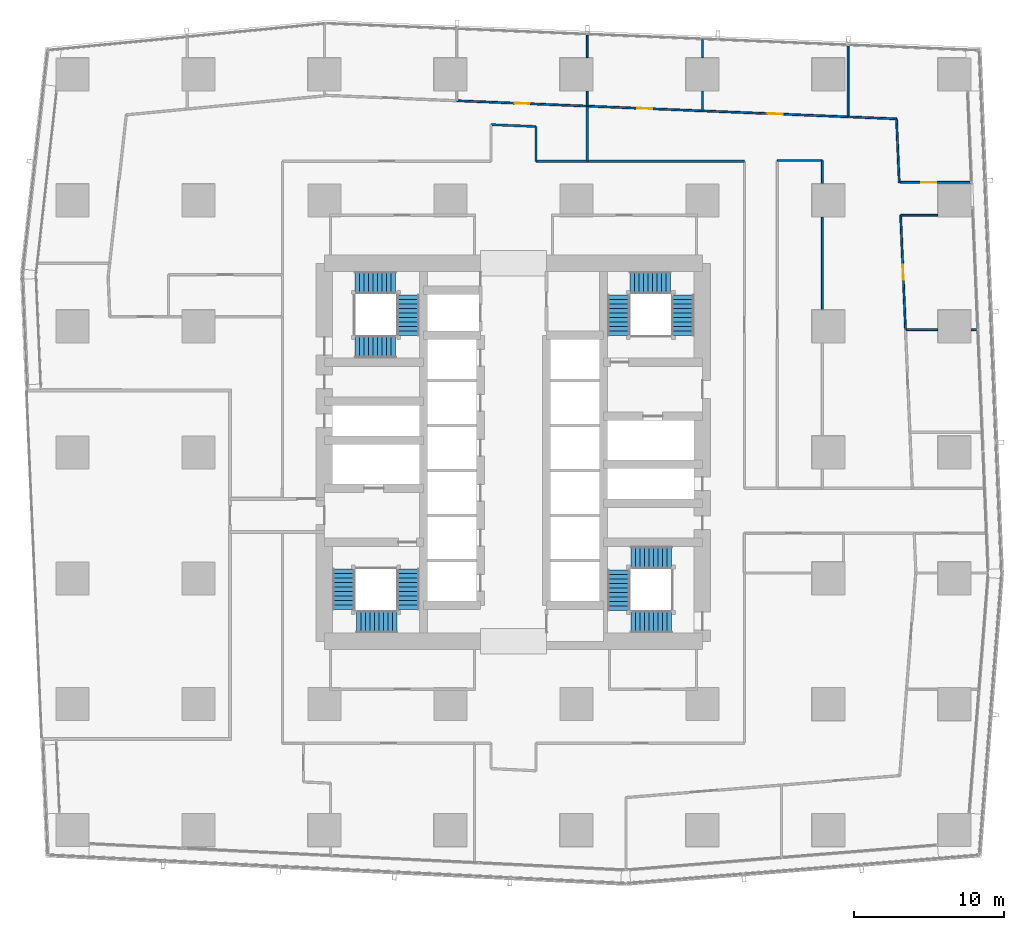
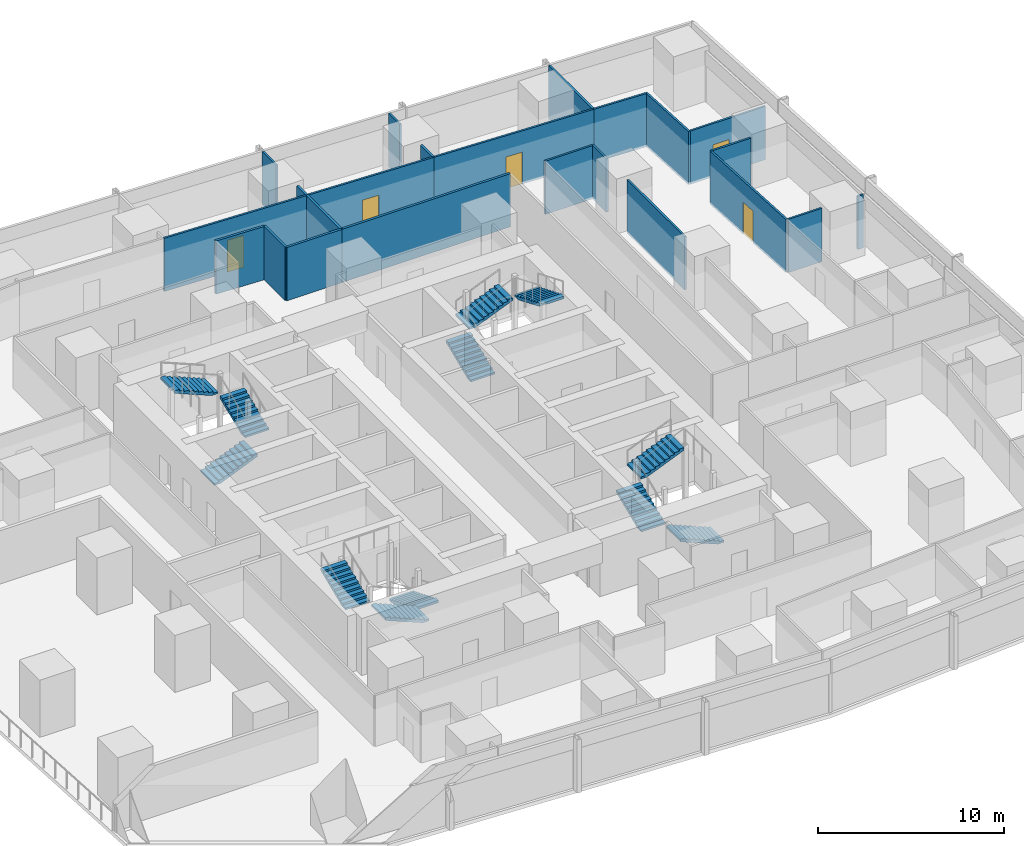
# One storey, part 33 of 42: 23 walls, 12 stair flights, 5 doors, 5 openings, 4 elements without a shape of their own.
"""IFC4 building model written with IfcOpenShell, lengths in metres."""

from ifc_helpers import new_model, si_unit, direction, frame, frame_2d, origin, place, context, subcontext, project, spatial, polyline, rectangle, outline, extrude, material, layer, layer_set, type_object, element, fill, aggregate, save


model = new_model("IFC4")

# Units and contexts
model_context = context("Model", 3, precision=1e-05, world=origin(), true_north=direction((0.0, 1.0)))
body_context = subcontext(model_context, "Body", "Model", "MODEL_VIEW")
ifc_project = project(units=[si_unit("LENGTHUNIT", "METRE"), si_unit("AREAUNIT", "SQUARE_METRE"), si_unit("VOLUMEUNIT", "CUBIC_METRE"), si_unit("PLANEANGLEUNIT", "RADIAN"), si_unit("MASSUNIT", "GRAM", prefix="KILO")], contexts=[model_context])

# Site, building, storey
site_placement = place(None, origin())
site = spatial("IfcSite", under=ifc_project, at=site_placement, CompositionType="ELEMENT")
building_placement = place(site_placement, origin())
building = spatial("IfcBuilding", under=site, at=building_placement, Name="Rekha Terrace Tower", CompositionType="ELEMENT")
storey_placement = place(building_placement, frame((0.0, 0.0, 55.39990234375)))
storey = spatial("IfcBuildingStorey", under=building, at=storey_placement, Name="L13", CompositionType="ELEMENT", Elevation=55.39990234375)

# Walls
ifc_material_1 = material(Name="Concrete block masonry, 1 hour", Category="masonry")
ifc_layer_1 = layer(ifc_material_1, 0.14990234375)
ifc_layer_set_1 = layer_set([ifc_layer_1], Name="Concrete block masonry, 1 hour")
wall_type_1 = type_object("IfcWallType", Name="WP2 150 tenancy partition", PredefinedType="PARTITIONING", material=ifc_layer_set_1)
wall_1_placement = place(storey_placement, frame((53.199951171875, 53.0, 0.0), z_axis=(0.0, 0.0, 1.0), x_axis=(-1.0, 0.0, 0.0)))
element("IfcWall", 1, at=wall_1_placement, inside=storey, type_object=wall_type_1, Name="Partition L13-O3", PredefinedType="PARTITIONING", context=body_context, shape_type="SweptSolid", body=[
    extrude(rectangle(XDim=10.48095703125, YDim=0.14990234375, at=frame_2d((5.240478515625, 0.0))), origin(), (0.0, 0.0, 1.0), 3.5),
])
wall_2_placement = place(storey_placement, frame((42.718994140625, 53.0, 0.0), z_axis=(0.0, 0.0, 1.0), x_axis=(0.0, 1.0, 0.0)))
element("IfcWall", 2, at=wall_2_placement, inside=storey, type_object=wall_type_1, Name="Partition L13-O3", PredefinedType="PARTITIONING", context=body_context, shape_type="SweptSolid", body=[
    extrude(rectangle(XDim=3.678955078125, YDim=0.14990234375, at=frame_2d((1.83935546875, 0.0))), origin(), (0.0, 0.0, 1.0), 3.5),
])
wall_3_placement = place(storey_placement, frame((42.718017578125, 53.0, 0.0), z_axis=(0.0, 0.0, 1.0), x_axis=(-1.0, 0.0, 0.0)))
element("IfcWall", 3, at=wall_3_placement, inside=storey, type_object=wall_type_1, Name="Partition L13-O4", PredefinedType="PARTITIONING", context=body_context, shape_type="SweptSolid", body=[
    extrude(rectangle(XDim=3.41796875, YDim=0.14990234375, at=frame_2d((1.708984375, 0.0))), origin(), (0.0, 0.0, 1.0), 3.5),
])
wall_4_placement = place(storey_placement, frame((39.300048828125, 53.0, 0.0), z_axis=(0.0, 0.0, 1.0), x_axis=(0.0, 1.0, 0.0)))
element("IfcWall", 4, at=wall_4_placement, inside=storey, type_object=wall_type_1, Name="Partition L13-O4", PredefinedType="PARTITIONING", context=body_context, shape_type="SweptSolid", body=[
    extrude(rectangle(XDim=2.319091796875, YDim=0.14990234375, at=frame_2d((1.15966796875, 0.0))), origin(), (0.0, 0.0, 1.0), 3.5),
])
wall_5_placement = place(storey_placement, frame((39.300048828125, 55.319091796875, 0.0), z_axis=(0.0, 0.0, 1.0), x_axis=(-0.999163245212, 0.040899992866, 0.0)))
element("IfcWall", 5, at=wall_5_placement, inside=storey, type_object=wall_type_1, Name="Partition L13-O4", PredefinedType="PARTITIONING", context=body_context, shape_type="SweptSolid", body=[
    extrude(rectangle(XDim=3.00244140625, YDim=0.14990234375, at=frame_2d((1.501220703125, 0.0))), origin(), (0.0, 0.0, 1.0), 3.5),
])
ifc_material_2 = material(Name="Two layers of fire-rated gypsum board each side on steel studs, acoustic quilt, 1 hour", Category="steel")
ifc_layer_2 = layer(ifc_material_2, 0.125)
ifc_layer_set_2 = layer_set([ifc_layer_2], Name="Two layers of fire-rated gypsum board each side on steel studs, acoustic quilt, 1 hour")
wall_type_2 = type_object("IfcWallType", Name="WP3 125 office partition", PredefinedType="PARTITIONING", material=ifc_layer_set_2)
wall_6_placement = place(storey_placement, frame((64.001953125, 41.781005859375, 0.0), z_axis=(0.0, 0.0, 1.0), x_axis=(1.0, 0.0, 0.0)))
element("IfcWall", 6, at=wall_6_placement, inside=storey, type_object=wall_type_2, Name="Partition L13-07", PredefinedType="PARTITIONING", context=body_context, shape_type="SweptSolid", body=[
    extrude(rectangle(XDim=2.078125, YDim=0.125, at=frame_2d((1.0390625, 0.0))), origin(), (0.0, 0.0, 1.0), 3.5),
])
wall_7_placement = place(storey_placement, frame((68.320068359375, 41.781005859375, 0.0), z_axis=(0.0, 0.0, 1.0), x_axis=(1.0, 0.0, 0.0)))
element("IfcWall", 7, at=wall_7_placement, inside=storey, type_object=wall_type_2, Name="Partition L13-07", PredefinedType="PARTITIONING", context=body_context, shape_type="SweptSolid", body=[
    extrude(rectangle(XDim=0.343017578125, YDim=0.125, at=frame_2d((0.17138671875, 0.0))), origin(), (0.0, 0.0, 1.0), 3.5),
])

# Wall, opening, door
wall_8_placement = place(storey_placement, frame((63.93896484375, 41.781982421875, 0.0), z_axis=(0.0, 0.0, 1.0), x_axis=(-0.042745242954, 0.999086004408, 0.0)))
wall_8 = element("IfcWall", 8, at=wall_8_placement, inside=storey, type_object=wall_type_2, Name="Partition L13-08", PredefinedType="PARTITIONING", context=body_context, shape_type="SweptSolid", body=[
    extrude(rectangle(XDim=7.625, YDim=0.125, at=frame_2d((3.8125, 0.0))), origin(), (0.0, 0.0, 1.0), 3.5),
])
opening_1_placement = place(wall_8_placement, frame((3.31201171875, 0.0, 0.0)))
opening_1 = element("IfcOpeningElement", 9, at=opening_1_placement, cuts=wall_8, Name="Opening D9", PredefinedType="OPENING", context=body_context, shape_type="SweptSolid", body=[
    extrude(rectangle(XDim=1.0, YDim=2.10009765625, at=frame_2d((0.5, 1.050048828125))), frame((0.0, 0.072509765625, 0.0), z_axis=(0.0, -1.0, 0.0), x_axis=(1.0, 0.0, 0.0)), (0.0, 0.0, 1.0), 0.14501953125),
])
ifc_material_3 = material(Name="Timber fire door", Category="wood")
door_type = type_object("IfcDoorType", Name="D9 1000x2100 office door", OperationType="SINGLE_SWING_LEFT", PredefinedType="DOOR", material=ifc_material_3)
door_1_placement = place(opening_1_placement, origin())
door_1 = element("IfcDoor", 10, at=door_1_placement, inside=storey, type_object=door_type, Name="Door office L13", OperationType="SINGLE_SWING_LEFT", OverallHeight=2.10009765625, OverallWidth=1.0, PredefinedType="DOOR", context=body_context, shape_type="SweptSolid", body=[
    extrude(rectangle(XDim=1.0, YDim=2.10009765625, at=frame_2d((0.5, 1.050048828125))), frame((0.0, 0.02490234375, 0.0), z_axis=(0.0, -1.0, 0.0), x_axis=(1.0, 0.0, 0.0)), (0.0, 0.0, 1.0), 0.050048828125),
])
fill(opening_1, door_1)

# Walls
wall_9_placement = place(storey_placement, frame((63.613037109375, 49.39990234375, 0.0), z_axis=(0.0, 0.0, 1.0), x_axis=(1.0, 0.0, 0.0)))
element("IfcWall", 11, at=wall_9_placement, inside=storey, type_object=wall_type_2, Name="Partition L13-08", PredefinedType="PARTITIONING", context=body_context, shape_type="SweptSolid", body=[
    extrude(rectangle(XDim=2.467041015625, YDim=0.125, at=frame_2d((1.2333984375, 0.0))), origin(), (0.0, 0.0, 1.0), 3.5),
])
wall_10_placement = place(storey_placement, frame((60.112060546875, 55.9619140625, 0.0), z_axis=(0.0, 0.0, 1.0), x_axis=(0.0, 1.0, 0.0)))
element("IfcWall", 12, at=wall_10_placement, inside=storey, type_object=wall_type_2, Name="Partition L13-09", PredefinedType="PARTITIONING", context=body_context, shape_type="SweptSolid", body=[
    extrude(rectangle(XDim=4.72412109375, YDim=0.125, at=frame_2d((2.362060546875, 0.0))), origin(), (0.0, 0.0, 1.0), 3.5),
])

# Wall, opening, door
wall_11_placement = place(storey_placement, frame((68.243896484375, 51.593017578125, 0.0), z_axis=(0.0, 0.0, 1.0), x_axis=(-1.0, 0.0, 0.0)))
wall_11 = element("IfcWall", 13, at=wall_11_placement, inside=storey, type_object=wall_type_2, Name="Partition L13-09", PredefinedType="PARTITIONING", context=body_context, shape_type="SweptSolid", body=[
    extrude(rectangle(XDim=4.661865234375, YDim=0.125, at=frame_2d((2.3310546875, 0.0))), origin(), (0.0, 0.0, 1.0), 3.5),
])
opening_2_placement = place(wall_11_placement, frame((2.260986328125, 0.0, 0.0)))
opening_2 = element("IfcOpeningElement", 14, at=opening_2_placement, cuts=wall_11, Name="Opening D9", PredefinedType="OPENING", context=body_context, shape_type="SweptSolid", body=[
    extrude(rectangle(XDim=1.0, YDim=2.10009765625, at=frame_2d((0.5, 1.050048828125))), frame((0.0, 0.072509765625, 0.0), z_axis=(0.0, -1.0, 0.0), x_axis=(1.0, 0.0, 0.0)), (0.0, 0.0, 1.0), 0.14501953125),
])
door_2_placement = place(opening_2_placement, origin())
door_2 = element("IfcDoor", 15, at=door_2_placement, inside=storey, type_object=door_type, Name="Door director's office L13", OperationType="SINGLE_SWING_LEFT", OverallHeight=2.10009765625, OverallWidth=1.0, PredefinedType="DOOR", context=body_context, shape_type="SweptSolid", body=[
    extrude(rectangle(XDim=1.0, YDim=2.10009765625, at=frame_2d((0.5, 1.050048828125))), frame((0.0, 0.02490234375, 0.0), z_axis=(0.0, -1.0, 0.0), x_axis=(1.0, 0.0, 0.0)), (0.0, 0.0, 1.0), 0.050048828125),
])
fill(opening_2, door_2)

# Walls
wall_12_placement = place(storey_placement, frame((63.52099609375, 51.556884765625, 0.0), z_axis=(0.0, 0.0, 1.0), x_axis=(-0.042535330456, 0.999094963286, 0.0)))
element("IfcWall", 16, at=wall_12_placement, inside=storey, type_object=wall_type_2, Name="Partition L13-09", PredefinedType="PARTITIONING", context=body_context, shape_type="SweptSolid", body=[
    extrude(rectangle(XDim=4.276123046875, YDim=0.125, at=frame_2d((2.13818359375, 0.0))), origin(), (0.0, 0.0, 1.0), 3.5),
])
wall_13_placement = place(storey_placement, frame((63.339111328125, 55.8291015625, 0.0), z_axis=(0.0, 0.0, 1.0), x_axis=(-0.999154166221, 0.04112118826, 0.0)))
element("IfcWall", 17, at=wall_13_placement, inside=storey, type_object=wall_type_2, Name="Partition L13-09", PredefinedType="PARTITIONING", context=body_context, shape_type="SweptSolid", body=[
    extrude(rectangle(XDim=3.229736328125, YDim=0.125, at=frame_2d((1.61474609375, 0.0))), origin(), (0.0, 0.0, 1.0), 3.5),
])

# Wall, opening, door
wall_14_placement = place(storey_placement, frame((60.111083984375, 55.9619140625, 0.0), z_axis=(0.0, 0.0, 1.0), x_axis=(-0.999151781827, 0.041179082941, 0.0)))
wall_14 = element("IfcWall", 18, at=wall_14_placement, inside=storey, type_object=wall_type_2, Name="Partition L13-10", PredefinedType="PARTITIONING", context=body_context, shape_type="SweptSolid", body=[
    extrude(rectangle(XDim=9.71728515625, YDim=0.125, at=frame_2d((4.858642578125, 0.0))), origin(), (0.0, 0.0, 1.0), 3.5),
])
opening_3_placement = place(wall_14_placement, frame((4.35888671875, 0.0, 0.0)))
opening_3 = element("IfcOpeningElement", 19, at=opening_3_placement, cuts=wall_14, Name="Opening D9", PredefinedType="OPENING", context=body_context, shape_type="SweptSolid", body=[
    extrude(rectangle(XDim=1.0, YDim=2.10009765625, at=frame_2d((0.5, 1.050048828125))), frame((0.0, 0.072509765625, 0.0), z_axis=(0.0, -1.0, 0.0), x_axis=(1.0, 0.0, 0.0)), (0.0, 0.0, 1.0), 0.14501953125),
])
door_3_placement = place(opening_3_placement, origin())
door_3 = element("IfcDoor", 20, at=door_3_placement, inside=storey, type_object=door_type, Name="Door office L13", OperationType="SINGLE_SWING_LEFT", OverallHeight=2.10009765625, OverallWidth=1.0, PredefinedType="DOOR", context=body_context, shape_type="SweptSolid", body=[
    extrude(rectangle(XDim=1.0, YDim=2.10009765625, at=frame_2d((0.5, 1.050048828125))), frame((0.0, 0.02490234375, 0.0), z_axis=(0.0, -1.0, 0.0), x_axis=(1.0, 0.0, 0.0)), (0.0, 0.0, 1.0), 0.050048828125),
])
fill(opening_3, door_3)

# Walls
wall_15_placement = place(storey_placement, frame((50.402099609375, 56.362060546875, 0.0), z_axis=(0.0, 0.0, 1.0), x_axis=(0.0, 1.0, 0.0)))
element("IfcWall", 21, at=wall_15_placement, inside=storey, type_object=wall_type_2, Name="Partition L13-10", PredefinedType="PARTITIONING", context=body_context, shape_type="SweptSolid", body=[
    extrude(rectangle(XDim=1.31787109375, YDim=0.125, at=frame_2d((0.658935546875, 0.0))), origin(), (0.0, 0.0, 1.0), 3.5),
])
wall_16_placement = place(storey_placement, frame((50.402099609375, 59.919921875, 0.0), z_axis=(0.0, 0.0, 1.0), x_axis=(0.0, 1.0, 0.0)))
element("IfcWall", 22, at=wall_16_placement, inside=storey, type_object=wall_type_2, Name="Partition L13-10", PredefinedType="PARTITIONING", context=body_context, shape_type="SweptSolid", body=[
    extrude(rectangle(XDim=1.196044921875, YDim=0.125, at=frame_2d((0.59814453125, 0.0))), origin(), (0.0, 0.0, 1.0), 3.5),
])

# Wall, opening, door
wall_17_placement = place(storey_placement, frame((50.40087890625, 56.362060546875, 0.0), z_axis=(0.0, 0.0, 1.0), x_axis=(-0.999150213053, 0.041217129399, 0.0)))
wall_17 = element("IfcWall", 23, at=wall_17_placement, inside=storey, type_object=wall_type_2, Name="Partition L13-11", PredefinedType="PARTITIONING", context=body_context, shape_type="SweptSolid", body=[
    extrude(rectangle(XDim=7.6884765625, YDim=0.125, at=frame_2d((3.84423828125, 0.0))), origin(), (0.0, 0.0, 1.0), 3.5),
])
opening_4_placement = place(wall_17_placement, frame((3.343994140625, 0.0, 0.0)))
opening_4 = element("IfcOpeningElement", 24, at=opening_4_placement, cuts=wall_17, Name="Opening D9", PredefinedType="OPENING", context=body_context, shape_type="SweptSolid", body=[
    extrude(rectangle(XDim=1.0, YDim=2.10009765625, at=frame_2d((0.5, 1.050048828125))), frame((0.0, 0.072509765625, 0.0), z_axis=(0.0, -1.0, 0.0), x_axis=(1.0, 0.0, 0.0)), (0.0, 0.0, 1.0), 0.14501953125),
])
door_4_placement = place(opening_4_placement, origin())
door_4 = element("IfcDoor", 25, at=door_4_placement, inside=storey, type_object=door_type, Name="Door office L13", OperationType="SINGLE_SWING_LEFT", OverallHeight=2.10009765625, OverallWidth=1.0, PredefinedType="DOOR", context=body_context, shape_type="SweptSolid", body=[
    extrude(rectangle(XDim=1.0, YDim=2.10009765625, at=frame_2d((0.5, 1.050048828125))), frame((0.0, 0.02490234375, 0.0), z_axis=(0.0, -1.0, 0.0), x_axis=(1.0, 0.0, 0.0)), (0.0, 0.0, 1.0), 0.050048828125),
])
fill(opening_4, door_4)

# Walls
wall_18_placement = place(storey_placement, frame((42.718994140625, 56.678955078125, 0.0), z_axis=(0.0, 0.0, 1.0), x_axis=(0.0, 1.0, 0.0)))
element("IfcWall", 26, at=wall_18_placement, inside=storey, type_object=wall_type_2, Name="Partition L13-11", PredefinedType="PARTITIONING", context=body_context, shape_type="SweptSolid", body=[
    extrude(rectangle(XDim=1.0009765625, YDim=0.125, at=frame_2d((0.50048828125, 0.0))), origin(), (0.0, 0.0, 1.0), 3.5),
])
wall_19_placement = place(storey_placement, frame((42.718994140625, 59.919921875, 0.0), z_axis=(0.0, 0.0, 1.0), x_axis=(0.0, 1.0, 0.0)))
element("IfcWall", 27, at=wall_19_placement, inside=storey, type_object=wall_type_2, Name="Partition L13-11", PredefinedType="PARTITIONING", context=body_context, shape_type="SweptSolid", body=[
    extrude(rectangle(XDim=1.483154296875, YDim=0.125, at=frame_2d((0.74169921875, 0.0))), origin(), (0.0, 0.0, 1.0), 3.5),
])
wall_20_placement = place(storey_placement, frame((55.39990234375, 53.050048828125, 0.0), z_axis=(0.0, 0.0, 1.0), x_axis=(1.0, 0.0, 0.0)))
element("IfcWall", 28, at=wall_20_placement, inside=storey, type_object=wall_type_2, Name="Partition L13-12", PredefinedType="PARTITIONING", context=body_context, shape_type="SweptSolid", body=[
    extrude(rectangle(XDim=3.0, YDim=0.125, at=frame_2d((1.5, 0.0))), origin(), (0.0, 0.0, 1.0), 3.5),
])
wall_21_placement = place(storey_placement, frame((58.39990234375, 53.050048828125, 0.0), z_axis=(0.0, 0.0, 1.0), x_axis=(0.0, -1.0, 0.0)))
element("IfcWall", 29, at=wall_21_placement, inside=storey, type_object=wall_type_2, Name="Partition L13-12", PredefinedType="PARTITIONING", context=body_context, shape_type="SweptSolid", body=[
    extrude(rectangle(XDim=1.530029296875, YDim=0.125, at=frame_2d((0.76513671875, 0.0))), origin(), (0.0, 0.0, 1.0), 3.5),
])
wall_22_placement = place(storey_placement, frame((58.39990234375, 49.280029296875, 0.0), z_axis=(0.0, 0.0, 1.0), x_axis=(0.0, -1.0, 0.0)))
element("IfcWall", 30, at=wall_22_placement, inside=storey, type_object=wall_type_2, Name="Partition L13-12", PredefinedType="PARTITIONING", context=body_context, shape_type="SweptSolid", body=[
    extrude(rectangle(XDim=6.159912109375, YDim=0.125, at=frame_2d((3.080078125, 0.0))), origin(), (0.0, 0.0, 1.0), 3.5),
])

# Wall, opening, door
wall_23_placement = place(storey_placement, frame((42.718017578125, 56.678955078125, 0.0), z_axis=(0.0, 0.0, 1.0), x_axis=(-0.999152748928, 0.041155610913, 0.0)))
wall_23 = element("IfcWall", 31, at=wall_23_placement, inside=storey, type_object=wall_type_2, Name="Partition L13-13", PredefinedType="PARTITIONING", context=body_context, shape_type="SweptSolid", body=[
    extrude(rectangle(XDim=8.702392578125, YDim=0.125, at=frame_2d((4.35107421875, 0.0))), origin(), (0.0, 0.0, 1.0), 3.5),
])
opening_5_placement = place(wall_23_placement, frame((3.85107421875, 0.0, 0.0)))
opening_5 = element("IfcOpeningElement", 32, at=opening_5_placement, cuts=wall_23, Name="Opening D9", PredefinedType="OPENING", context=body_context, shape_type="SweptSolid", body=[
    extrude(rectangle(XDim=1.0, YDim=2.10009765625, at=frame_2d((0.5, 1.050048828125))), frame((0.0, 0.072509765625, 0.0), z_axis=(0.0, -1.0, 0.0), x_axis=(1.0, 0.0, 0.0)), (0.0, 0.0, 1.0), 0.14501953125),
])
door_5_placement = place(opening_5_placement, origin())
door_5 = element("IfcDoor", 33, at=door_5_placement, inside=storey, type_object=door_type, Name="Door office L13", OperationType="SINGLE_SWING_LEFT", OverallHeight=2.10009765625, OverallWidth=1.0, PredefinedType="DOOR", context=body_context, shape_type="SweptSolid", body=[
    extrude(rectangle(XDim=1.0, YDim=2.10009765625, at=frame_2d((0.5, 1.050048828125))), frame((0.0, 0.02490234375, 0.0), z_axis=(0.0, -1.0, 0.0), x_axis=(1.0, 0.0, 0.0)), (0.0, 0.0, 1.0), 0.050048828125),
])
fill(opening_5, door_5)

# Stair, stair flights
ifc_material_4 = material(Name="Concrete M40", Category="concrete")
stair_type = type_object("IfcStairType", Name="ST30 stair, 30 risers of 125, going 300, 1500 wide flights, 3 flights", PredefinedType="HALF_TURN_STAIR", material=ifc_material_4)
stair_1_placement = place(storey_placement, origin())
stair_1 = element("IfcStair", 34, at=stair_1_placement, inside=storey, type_object=stair_type, Name="Stair ST1 L13 to L14", PredefinedType="HALF_TURN_STAIR")
stair_flight_type = type_object("IfcStairFlightType", Name="SF10 stair flight, 10 risers of 125, going 300, 1500 wide", PredefinedType="STRAIGHT", material=ifc_material_4)
stair_flight_1_placement = place(storey_placement, frame((30.77490234375, 25.824951171875, 0.0), z_axis=(0.0, 0.0, 1.0), x_axis=(0.0, -1.0, 0.0)))
stair_flight_1 = element("IfcStairFlight", 35, at=stair_flight_1_placement, type_object=stair_flight_type, Name="ST1 flight 1", NumberOfRisers=10, NumberOfTreads=9, PredefinedType="STRAIGHT", RiserHeight=0.125, TreadLength=0.3, context=body_context, shape_type="SweptSolid", body=[
    extrude(outline(polyline([(0.0, 0.0), (0.0, 0.125), (0.300048828125, 0.125), (0.300048828125, 0.25), (0.60009765625, 0.25), (0.60009765625, 0.375), (0.89990234375, 0.375), (0.89990234375, 0.5), (1.199951171875, 0.5), (1.199951171875, 0.625), (1.5, 0.625), (1.5, 0.75), (1.800048828125, 0.75), (1.800048828125, 0.875), (2.10009765625, 0.875), (2.10009765625, 1.0), (2.39990234375, 1.0), (2.39990234375, 1.125), (2.699951171875, 1.125), (2.699951171875, 1.25), (2.699951171875, 0.962646484375), (0.3896484375, 0.0), (0.0, 0.0)])), frame((0.0, 0.75, 0.0), z_axis=(0.0, -1.0, 0.0), x_axis=(1.0, 0.0, 0.0)), (0.0, 0.0, 1.0), 1.5),
])
stair_flight_2_placement = place(storey_placement, frame((30.02490234375, 22.300048828125, 1.25), z_axis=(0.0, 0.0, 1.0), x_axis=(-1.0, 0.0, 0.0)))
stair_flight_2 = element("IfcStairFlight", 36, at=stair_flight_2_placement, type_object=stair_flight_type, Name="ST1 flight 2", NumberOfRisers=10, NumberOfTreads=9, PredefinedType="STRAIGHT", RiserHeight=0.125, TreadLength=0.3, context=body_context, shape_type="SweptSolid", body=[
    extrude(outline(polyline([(0.0, 0.0), (0.0, 0.125), (0.300048828125, 0.125), (0.300048828125, 0.25), (0.60009765625, 0.25), (0.60009765625, 0.375), (0.89990234375, 0.375), (0.89990234375, 0.5), (1.199951171875, 0.5), (1.199951171875, 0.625), (1.5, 0.625), (1.5, 0.75), (1.800048828125, 0.75), (1.800048828125, 0.875), (2.10009765625, 0.875), (2.10009765625, 1.0), (2.39990234375, 1.0), (2.39990234375, 1.125), (2.699951171875, 1.125), (2.699951171875, 1.25), (2.699951171875, 0.962646484375), (0.3896484375, 0.0), (0.0, 0.0)])), frame((0.0, 0.75, 0.0), z_axis=(0.0, -1.0, 0.0), x_axis=(1.0, 0.0, 0.0)), (0.0, 0.0, 1.0), 1.5),
])
stair_flight_3_placement = place(storey_placement, frame((26.5, 23.125, 2.5), z_axis=(0.0, 0.0, 1.0), x_axis=(0.0, 1.0, 0.0)))
stair_flight_3 = element("IfcStairFlight", 37, at=stair_flight_3_placement, type_object=stair_flight_type, Name="ST1 flight 3", NumberOfRisers=10, NumberOfTreads=9, PredefinedType="STRAIGHT", RiserHeight=0.125, TreadLength=0.3, context=body_context, shape_type="SweptSolid", body=[
    extrude(outline(polyline([(0.0, 0.0), (0.0, 0.125), (0.300048828125, 0.125), (0.300048828125, 0.25), (0.60009765625, 0.25), (0.60009765625, 0.375), (0.89990234375, 0.375), (0.89990234375, 0.5), (1.199951171875, 0.5), (1.199951171875, 0.625), (1.5, 0.625), (1.5, 0.75), (1.800048828125, 0.75), (1.800048828125, 0.875), (2.10009765625, 0.875), (2.10009765625, 1.0), (2.39990234375, 1.0), (2.39990234375, 1.125), (2.699951171875, 1.125), (2.699951171875, 1.25), (2.699951171875, 0.962646484375), (0.3896484375, 0.0), (0.0, 0.0)])), frame((0.0, 0.75, 0.0), z_axis=(0.0, -1.0, 0.0), x_axis=(1.0, 0.0, 0.0)), (0.0, 0.0, 1.0), 1.5),
])
aggregate(stair_1, [stair_flight_1, stair_flight_2, stair_flight_3])

stair_2_placement = place(storey_placement, origin())
stair_2 = element("IfcStair", 38, at=stair_2_placement, inside=storey, type_object=stair_type, Name="Stair ST2 L13 to L14", PredefinedType="HALF_TURN_STAIR")
stair_flight_4_placement = place(storey_placement, frame((44.824951171875, 41.375, 0.0), z_axis=(0.0, 0.0, 1.0), x_axis=(0.0, 1.0, 0.0)))
stair_flight_4 = element("IfcStairFlight", 39, at=stair_flight_4_placement, type_object=stair_flight_type, Name="ST2 flight 1", NumberOfRisers=10, NumberOfTreads=9, PredefinedType="STRAIGHT", RiserHeight=0.125, TreadLength=0.3, context=body_context, shape_type="SweptSolid", body=[
    extrude(outline(polyline([(0.0, 0.0), (0.0, 0.125), (0.300048828125, 0.125), (0.300048828125, 0.25), (0.60009765625, 0.25), (0.60009765625, 0.375), (0.89990234375, 0.375), (0.89990234375, 0.5), (1.199951171875, 0.5), (1.199951171875, 0.625), (1.5, 0.625), (1.5, 0.75), (1.800048828125, 0.75), (1.800048828125, 0.875), (2.10009765625, 0.875), (2.10009765625, 1.0), (2.39990234375, 1.0), (2.39990234375, 1.125), (2.699951171875, 1.125), (2.699951171875, 1.25), (2.699951171875, 0.962646484375), (0.3896484375, 0.0), (0.0, 0.0)])), frame((0.0, 0.75, 0.0), z_axis=(0.0, -1.0, 0.0), x_axis=(1.0, 0.0, 0.0)), (0.0, 0.0, 1.0), 1.5),
])
stair_flight_5_placement = place(storey_placement, frame((45.574951171875, 44.89990234375, 1.25), z_axis=(0.0, 0.0, 1.0), x_axis=(1.0, 0.0, 0.0)))
stair_flight_5 = element("IfcStairFlight", 40, at=stair_flight_5_placement, type_object=stair_flight_type, Name="ST2 flight 2", NumberOfRisers=10, NumberOfTreads=9, PredefinedType="STRAIGHT", RiserHeight=0.125, TreadLength=0.3, context=body_context, shape_type="SweptSolid", body=[
    extrude(outline(polyline([(0.0, 0.0), (0.0, 0.125), (0.300048828125, 0.125), (0.300048828125, 0.25), (0.60009765625, 0.25), (0.60009765625, 0.375), (0.89990234375, 0.375), (0.89990234375, 0.5), (1.199951171875, 0.5), (1.199951171875, 0.625), (1.5, 0.625), (1.5, 0.75), (1.800048828125, 0.75), (1.800048828125, 0.875), (2.10009765625, 0.875), (2.10009765625, 1.0), (2.39990234375, 1.0), (2.39990234375, 1.125), (2.699951171875, 1.125), (2.699951171875, 1.25), (2.699951171875, 0.962646484375), (0.3896484375, 0.0), (0.0, 0.0)])), frame((0.0, 0.75, 0.0), z_axis=(0.0, -1.0, 0.0), x_axis=(1.0, 0.0, 0.0)), (0.0, 0.0, 1.0), 1.5),
])
stair_flight_6_placement = place(storey_placement, frame((49.10009765625, 44.074951171875, 2.5), z_axis=(0.0, 0.0, 1.0), x_axis=(0.0, -1.0, 0.0)))
stair_flight_6 = element("IfcStairFlight", 41, at=stair_flight_6_placement, type_object=stair_flight_type, Name="ST2 flight 3", NumberOfRisers=10, NumberOfTreads=9, PredefinedType="STRAIGHT", RiserHeight=0.125, TreadLength=0.3, context=body_context, shape_type="SweptSolid", body=[
    extrude(outline(polyline([(0.0, 0.0), (0.0, 0.125), (0.300048828125, 0.125), (0.300048828125, 0.25), (0.60009765625, 0.25), (0.60009765625, 0.375), (0.89990234375, 0.375), (0.89990234375, 0.5), (1.199951171875, 0.5), (1.199951171875, 0.625), (1.5, 0.625), (1.5, 0.75), (1.800048828125, 0.75), (1.800048828125, 0.875), (2.10009765625, 0.875), (2.10009765625, 1.0), (2.39990234375, 1.0), (2.39990234375, 1.125), (2.699951171875, 1.125), (2.699951171875, 1.25), (2.699951171875, 0.962646484375), (0.3896484375, 0.0), (0.0, 0.0)])), frame((0.0, 0.75, 0.0), z_axis=(0.0, -1.0, 0.0), x_axis=(1.0, 0.0, 0.0)), (0.0, 0.0, 1.0), 1.5),
])
aggregate(stair_2, [stair_flight_4, stair_flight_5, stair_flight_6])

stair_3_placement = place(storey_placement, origin())
stair_3 = element("IfcStair", 42, at=stair_3_placement, inside=storey, type_object=stair_type, Name="Stair ST3 L13 to L14", PredefinedType="HALF_TURN_STAIR")
stair_flight_7_placement = place(storey_placement, frame((48.35009765625, 22.300048828125, 0.0), z_axis=(0.0, 0.0, 1.0), x_axis=(-1.0, 0.0, 0.0)))
stair_flight_7 = element("IfcStairFlight", 43, at=stair_flight_7_placement, type_object=stair_flight_type, Name="ST3 flight 1", NumberOfRisers=10, NumberOfTreads=9, PredefinedType="STRAIGHT", RiserHeight=0.125, TreadLength=0.3, context=body_context, shape_type="SweptSolid", body=[
    extrude(outline(polyline([(0.0, 0.0), (0.0, 0.125), (0.300048828125, 0.125), (0.300048828125, 0.25), (0.60009765625, 0.25), (0.60009765625, 0.375), (0.89990234375, 0.375), (0.89990234375, 0.5), (1.199951171875, 0.5), (1.199951171875, 0.625), (1.5, 0.625), (1.5, 0.75), (1.800048828125, 0.75), (1.800048828125, 0.875), (2.10009765625, 0.875), (2.10009765625, 1.0), (2.39990234375, 1.0), (2.39990234375, 1.125), (2.699951171875, 1.125), (2.699951171875, 1.25), (2.699951171875, 0.962646484375), (0.3896484375, 0.0), (0.0, 0.0)])), frame((0.0, 0.75, 0.0), z_axis=(0.0, -1.0, 0.0), x_axis=(1.0, 0.0, 0.0)), (0.0, 0.0, 1.0), 1.5),
])
stair_flight_8_placement = place(storey_placement, frame((44.824951171875, 23.050048828125, 1.25), z_axis=(0.0, 0.0, 1.0), x_axis=(0.0, 1.0, 0.0)))
stair_flight_8 = element("IfcStairFlight", 44, at=stair_flight_8_placement, type_object=stair_flight_type, Name="ST3 flight 2", NumberOfRisers=10, NumberOfTreads=9, PredefinedType="STRAIGHT", RiserHeight=0.125, TreadLength=0.3, context=body_context, shape_type="SweptSolid", body=[
    extrude(outline(polyline([(0.0, 0.0), (0.0, 0.125), (0.300048828125, 0.125), (0.300048828125, 0.25), (0.60009765625, 0.25), (0.60009765625, 0.375), (0.89990234375, 0.375), (0.89990234375, 0.5), (1.199951171875, 0.5), (1.199951171875, 0.625), (1.5, 0.625), (1.5, 0.75), (1.800048828125, 0.75), (1.800048828125, 0.875), (2.10009765625, 0.875), (2.10009765625, 1.0), (2.39990234375, 1.0), (2.39990234375, 1.125), (2.699951171875, 1.125), (2.699951171875, 1.25), (2.699951171875, 0.962646484375), (0.3896484375, 0.0), (0.0, 0.0)])), frame((0.0, 0.75, 0.0), z_axis=(0.0, -1.0, 0.0), x_axis=(1.0, 0.0, 0.0)), (0.0, 0.0, 1.0), 1.5),
])
stair_flight_9_placement = place(storey_placement, frame((45.64990234375, 26.574951171875, 2.5), z_axis=(0.0, 0.0, 1.0), x_axis=(1.0, 0.0, 0.0)))
stair_flight_9 = element("IfcStairFlight", 45, at=stair_flight_9_placement, type_object=stair_flight_type, Name="ST3 flight 3", NumberOfRisers=10, NumberOfTreads=9, PredefinedType="STRAIGHT", RiserHeight=0.125, TreadLength=0.3, context=body_context, shape_type="SweptSolid", body=[
    extrude(outline(polyline([(0.0, 0.0), (0.0, 0.125), (0.300048828125, 0.125), (0.300048828125, 0.25), (0.60009765625, 0.25), (0.60009765625, 0.375), (0.89990234375, 0.375), (0.89990234375, 0.5), (1.199951171875, 0.5), (1.199951171875, 0.625), (1.5, 0.625), (1.5, 0.75), (1.800048828125, 0.75), (1.800048828125, 0.875), (2.10009765625, 0.875), (2.10009765625, 1.0), (2.39990234375, 1.0), (2.39990234375, 1.125), (2.699951171875, 1.125), (2.699951171875, 1.25), (2.699951171875, 0.962646484375), (0.3896484375, 0.0), (0.0, 0.0)])), frame((0.0, 0.75, 0.0), z_axis=(0.0, -1.0, 0.0), x_axis=(1.0, 0.0, 0.0)), (0.0, 0.0, 1.0), 1.5),
])
aggregate(stair_3, [stair_flight_7, stair_flight_8, stair_flight_9])

stair_4_placement = place(storey_placement, origin())
stair_4 = element("IfcStair", 46, at=stair_4_placement, inside=storey, type_object=stair_type, Name="Stair ST4 L13 to L14", PredefinedType="HALF_TURN_STAIR")
stair_flight_10_placement = place(storey_placement, frame((27.25, 40.625, 0.0), z_axis=(0.0, 0.0, 1.0), x_axis=(1.0, 0.0, 0.0)))
stair_flight_10 = element("IfcStairFlight", 47, at=stair_flight_10_placement, type_object=stair_flight_type, Name="ST4 flight 1", NumberOfRisers=10, NumberOfTreads=9, PredefinedType="STRAIGHT", RiserHeight=0.125, TreadLength=0.3, context=body_context, shape_type="SweptSolid", body=[
    extrude(outline(polyline([(0.0, 0.0), (0.0, 0.125), (0.300048828125, 0.125), (0.300048828125, 0.25), (0.60009765625, 0.25), (0.60009765625, 0.375), (0.89990234375, 0.375), (0.89990234375, 0.5), (1.199951171875, 0.5), (1.199951171875, 0.625), (1.5, 0.625), (1.5, 0.75), (1.800048828125, 0.75), (1.800048828125, 0.875), (2.10009765625, 0.875), (2.10009765625, 1.0), (2.39990234375, 1.0), (2.39990234375, 1.125), (2.699951171875, 1.125), (2.699951171875, 1.25), (2.699951171875, 0.962646484375), (0.3896484375, 0.0), (0.0, 0.0)])), frame((0.0, 0.75, 0.0), z_axis=(0.0, -1.0, 0.0), x_axis=(1.0, 0.0, 0.0)), (0.0, 0.0, 1.0), 1.5),
])
stair_flight_11_placement = place(storey_placement, frame((30.77490234375, 41.375, 1.25), z_axis=(0.0, 0.0, 1.0), x_axis=(0.0, 1.0, 0.0)))
stair_flight_11 = element("IfcStairFlight", 48, at=stair_flight_11_placement, type_object=stair_flight_type, Name="ST4 flight 2", NumberOfRisers=10, NumberOfTreads=9, PredefinedType="STRAIGHT", RiserHeight=0.125, TreadLength=0.3, context=body_context, shape_type="SweptSolid", body=[
    extrude(outline(polyline([(0.0, 0.0), (0.0, 0.125), (0.300048828125, 0.125), (0.300048828125, 0.25), (0.60009765625, 0.25), (0.60009765625, 0.375), (0.89990234375, 0.375), (0.89990234375, 0.5), (1.199951171875, 0.5), (1.199951171875, 0.625), (1.5, 0.625), (1.5, 0.75), (1.800048828125, 0.75), (1.800048828125, 0.875), (2.10009765625, 0.875), (2.10009765625, 1.0), (2.39990234375, 1.0), (2.39990234375, 1.125), (2.699951171875, 1.125), (2.699951171875, 1.25), (2.699951171875, 0.962646484375), (0.3896484375, 0.0), (0.0, 0.0)])), frame((0.0, 0.75, 0.0), z_axis=(0.0, -1.0, 0.0), x_axis=(1.0, 0.0, 0.0)), (0.0, 0.0, 1.0), 1.5),
])
stair_flight_12_placement = place(storey_placement, frame((29.949951171875, 44.89990234375, 2.5), z_axis=(0.0, 0.0, 1.0), x_axis=(-1.0, 0.0, 0.0)))
stair_flight_12 = element("IfcStairFlight", 49, at=stair_flight_12_placement, type_object=stair_flight_type, Name="ST4 flight 3", NumberOfRisers=10, NumberOfTreads=9, PredefinedType="STRAIGHT", RiserHeight=0.125, TreadLength=0.3, context=body_context, shape_type="SweptSolid", body=[
    extrude(outline(polyline([(0.0, 0.0), (0.0, 0.125), (0.300048828125, 0.125), (0.300048828125, 0.25), (0.60009765625, 0.25), (0.60009765625, 0.375), (0.89990234375, 0.375), (0.89990234375, 0.5), (1.199951171875, 0.5), (1.199951171875, 0.625), (1.5, 0.625), (1.5, 0.75), (1.800048828125, 0.75), (1.800048828125, 0.875), (2.10009765625, 0.875), (2.10009765625, 1.0), (2.39990234375, 1.0), (2.39990234375, 1.125), (2.699951171875, 1.125), (2.699951171875, 1.25), (2.699951171875, 0.962646484375), (0.3896484375, 0.0), (0.0, 0.0)])), frame((0.0, 0.75, 0.0), z_axis=(0.0, -1.0, 0.0), x_axis=(1.0, 0.0, 0.0)), (0.0, 0.0, 1.0), 1.5),
])
aggregate(stair_4, [stair_flight_10, stair_flight_11, stair_flight_12])

save(model, "model.ifc")
